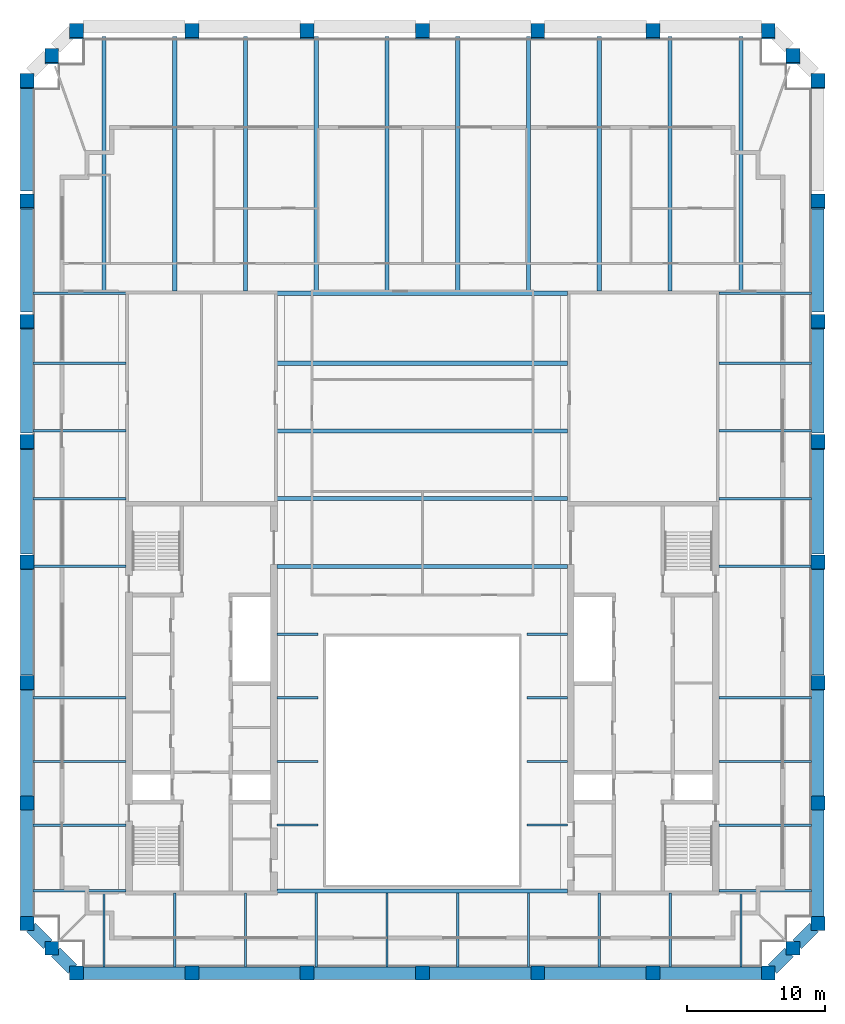
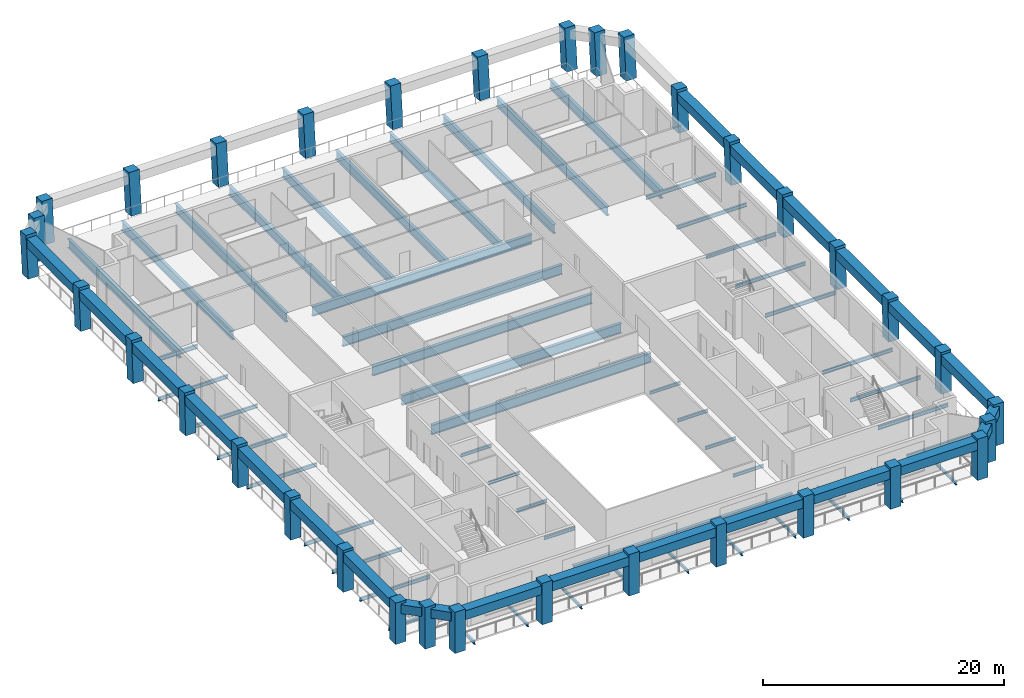
# One storey, part 1 of 8: 75 beams, 34 columns.
"""IFC4 building model written with IfcOpenShell, lengths in metres."""

from ifc_helpers import new_model, si_unit, direction, frame, origin, origin_2d, place, context, subcontext, project, spatial, rectangle, i_section, extrude, material, material_profile, profile_set, type_object, element, save


model = new_model("IFC4")

# Units and contexts
model_context = context("Model", 3, precision=1e-05, world=origin(), true_north=direction((0.0, 1.0)))
body_context = subcontext(model_context, "Body", "Model", "MODEL_VIEW")
ifc_project = project(units=[si_unit("LENGTHUNIT", "METRE"), si_unit("AREAUNIT", "SQUARE_METRE"), si_unit("VOLUMEUNIT", "CUBIC_METRE"), si_unit("PLANEANGLEUNIT", "RADIAN"), si_unit("MASSUNIT", "GRAM", prefix="KILO")], contexts=[model_context])

# Site, building, storey
site_placement = place(None, origin())
site = spatial("IfcSite", under=ifc_project, at=site_placement, CompositionType="ELEMENT")
building_placement = place(site_placement, origin())
building = spatial("IfcBuilding", under=site, at=building_placement, Name="Ogive Exchange Tower", CompositionType="ELEMENT")
storey_placement = place(building_placement, frame((0.0, 0.0, 351.0)))
storey = spatial("IfcBuildingStorey", under=building, at=storey_placement, Name="L77", CompositionType="ELEMENT", Elevation=351.0)

# Columns
ifc_material_1 = material(Name="Precast concrete C70/85 (limestone faced)", Category="masonry")
ifc_material_profile_1 = material_profile(ifc_material_1, rectangle(XDim=1.0, YDim=1.0, at=origin_2d()), Name="1000 x 1000")
ifc_profile_set_1 = profile_set([ifc_material_profile_1], Name="Precast concrete C70/85 (limestone faced)")
column_type = type_object("IfcColumnType", Name="Precast exoskeleton leg 1000 x 1000 C70/85", PredefinedType="COLUMN", material=ifc_profile_set_1)
for number, where, z_axis, x_axis, name in (
    (1, (-25.050048828125, -8.39990234375, 0.0), (0.0, 0.0, 1.0), (1.0, 0.0, 0.0), "Exoskeleton leg 1"),
    (2, (-16.699951171875, -8.39990234375, 0.0), (0.0, 0.0, 1.0), (1.0, 0.0, 0.0), "Exoskeleton leg 2"),
    (3, (-8.35009765625, -8.39990234375, 0.0), (0.0, 0.0, 1.0), (1.0, 0.0, 0.0), "Exoskeleton leg 3"),
    (4, (0.0, -8.39990234375, 0.0), (0.0, 0.0, 1.0), (1.0, 0.0, 0.0), "Exoskeleton leg 4"),
    (5, (8.35009765625, -8.39990234375, 0.0), (0.0, 0.0, 1.0), (1.0, 0.0, 0.0), "Exoskeleton leg 5"),
    (6, (16.699951171875, -8.39990234375, 0.0), (0.0, 0.0, 1.0), (1.0, 0.0, 0.0), "Exoskeleton leg 6"),
    (7, (25.050048828125, -8.39990234375, 0.0), (0.0, 0.0, 1.0), (1.0, 0.0, 0.0), "Exoskeleton leg 7"),
    (8, (28.64990234375, -4.800048828125, 0.0), (0.0, 0.0, 1.0), (1.0, 0.0, 0.0), "Exoskeleton leg 8"),
):
    element("IfcColumn", number, at=place(storey_placement, frame(where, z_axis=z_axis, x_axis=x_axis)), inside=storey, type_object=column_type, Name=name, PredefinedType="COLUMN", context=body_context, shape_type="SweptSolid", body=[
        extrude(rectangle(XDim=1.0, YDim=1.0, at=origin_2d()), origin(), (0.0, 0.0, 1.0), 4.199951171875),
    ])
column_1_placement = place(storey_placement, frame((28.64990234375, 3.9091796875, 0.0), z_axis=(0.0, 0.012961766342, 0.999915992778), x_axis=(-1.0, 0.0, 0.0)))
element("IfcColumn", 9, at=column_1_placement, inside=storey, type_object=column_type, Name="Exoskeleton leg 9", PredefinedType="COLUMN", context=body_context, shape_type="SweptSolid", body=[
    extrude(rectangle(XDim=1.0, YDim=1.0, at=origin_2d()), origin(), (0.0, 0.0, 1.0), 4.2001953125),
])
column_2_placement = place(storey_placement, frame((28.64990234375, 12.6181640625, 0.0), z_axis=(0.0, 0.025975072843, 0.999662590873), x_axis=(-1.0, 0.0, 0.0)))
element("IfcColumn", 10, at=column_2_placement, inside=storey, type_object=column_type, Name="Exoskeleton leg 10", PredefinedType="COLUMN", context=body_context, shape_type="SweptSolid", body=[
    extrude(rectangle(XDim=1.0, YDim=1.0, at=origin_2d()), origin(), (0.0, 0.0, 1.0), 4.201416015625),
])
column_3_placement = place(storey_placement, frame((28.64990234375, 21.327392578125, 0.0), z_axis=(0.0, 0.038917190853, 0.999242439179), x_axis=(-1.0, 0.0, 0.0)))
element("IfcColumn", 11, at=column_3_placement, inside=storey, type_object=column_type, Name="Exoskeleton leg 11", PredefinedType="COLUMN", context=body_context, shape_type="SweptSolid", body=[
    extrude(rectangle(XDim=1.0, YDim=1.0, at=origin_2d()), origin(), (0.0, 0.0, 1.0), 4.203125),
])
column_4_placement = place(storey_placement, frame((28.64990234375, 30.036376953125, 0.0), z_axis=(0.0, 0.051839753909, 0.998655416004), x_axis=(-1.0, 0.0, 0.0)))
element("IfcColumn", 12, at=column_4_placement, inside=storey, type_object=column_type, Name="Exoskeleton leg 12", PredefinedType="COLUMN", context=body_context, shape_type="SweptSolid", body=[
    extrude(rectangle(XDim=1.0, YDim=1.0, at=origin_2d()), origin(), (0.0, 0.0, 1.0), 4.20556640625),
])
column_5_placement = place(storey_placement, frame((28.64990234375, 38.74560546875, 0.0), z_axis=(0.0, 0.064794093908, 0.997898654872), x_axis=(-1.0, 0.0, 0.0)))
element("IfcColumn", 13, at=column_5_placement, inside=storey, type_object=column_type, Name="Exoskeleton leg 13", PredefinedType="COLUMN", context=body_context, shape_type="SweptSolid", body=[
    extrude(rectangle(XDim=1.0, YDim=1.0, at=origin_2d()), origin(), (0.0, 0.0, 1.0), 4.208740234375),
])
column_6_placement = place(storey_placement, frame((28.64990234375, 47.45458984375, 0.0), z_axis=(0.0, 0.077658156178, 0.996980045326), x_axis=(-1.0, 0.0, 0.0)))
element("IfcColumn", 14, at=column_6_placement, inside=storey, type_object=column_type, Name="Exoskeleton leg 14", PredefinedType="COLUMN", context=body_context, shape_type="SweptSolid", body=[
    extrude(rectangle(XDim=1.0, YDim=1.0, at=origin_2d()), origin(), (0.0, 0.0, 1.0), 4.212646484375),
])
for number, where, z_axis, x_axis, name in (
    (15, (28.64990234375, 56.16357421875, 0.0), (0.0, 0.090540965689, 0.995892731941), (-1.0, 0.0, 0.0), "Exoskeleton leg 15"),
    (16, (25.050048828125, 59.763671875, 0.0), (0.0, 0.090540965689, 0.995892731941), (-1.0, 0.0, 0.0), "Exoskeleton leg 16"),
    (17, (16.699951171875, 59.763671875, 0.0), (0.0, 0.090540965689, 0.995892731941), (-1.0, 0.0, 0.0), "Exoskeleton leg 17"),
    (18, (8.35009765625, 59.763671875, 0.0), (0.0, 0.090540965689, 0.995892731941), (-1.0, 0.0, 0.0), "Exoskeleton leg 18"),
    (19, (0.0, 59.763671875, 0.0), (0.0, 0.090540965689, 0.995892731941), (-1.0, 0.0, 0.0), "Exoskeleton leg 19"),
    (20, (-8.35009765625, 59.763671875, 0.0), (0.0, 0.090540965689, 0.995892731941), (-1.0, 0.0, 0.0), "Exoskeleton leg 20"),
    (21, (-16.699951171875, 59.763671875, 0.0), (0.0, 0.090540965689, 0.995892731941), (-1.0, 0.0, 0.0), "Exoskeleton leg 21"),
    (22, (-25.050048828125, 59.763671875, 0.0), (0.0, 0.090540965689, 0.995892731941), (-1.0, 0.0, 0.0), "Exoskeleton leg 22"),
    (23, (-28.64990234375, 56.16357421875, 0.0), (0.0, 0.090540965689, 0.995892731941), (-1.0, 0.0, 0.0), "Exoskeleton leg 23"),
):
    element("IfcColumn", number, at=place(storey_placement, frame(where, z_axis=z_axis, x_axis=x_axis)), inside=storey, type_object=column_type, Name=name, PredefinedType="COLUMN", context=body_context, shape_type="SweptSolid", body=[
        extrude(rectangle(XDim=1.0, YDim=1.0, at=origin_2d()), origin(), (0.0, 0.0, 1.0), 4.21728515625),
    ])
column_7_placement = place(storey_placement, frame((-28.64990234375, 47.45458984375, 0.0), z_axis=(0.0, 0.077658156178, 0.996980045326), x_axis=(-1.0, 0.0, 0.0)))
element("IfcColumn", 24, at=column_7_placement, inside=storey, type_object=column_type, Name="Exoskeleton leg 24", PredefinedType="COLUMN", context=body_context, shape_type="SweptSolid", body=[
    extrude(rectangle(XDim=1.0, YDim=1.0, at=origin_2d()), origin(), (0.0, 0.0, 1.0), 4.212646484375),
])
column_8_placement = place(storey_placement, frame((-28.64990234375, 38.74560546875, 0.0), z_axis=(0.0, 0.064794093908, 0.997898654872), x_axis=(-1.0, 0.0, 0.0)))
element("IfcColumn", 25, at=column_8_placement, inside=storey, type_object=column_type, Name="Exoskeleton leg 25", PredefinedType="COLUMN", context=body_context, shape_type="SweptSolid", body=[
    extrude(rectangle(XDim=1.0, YDim=1.0, at=origin_2d()), origin(), (0.0, 0.0, 1.0), 4.208740234375),
])
column_9_placement = place(storey_placement, frame((-28.64990234375, 30.036376953125, 0.0), z_axis=(0.0, 0.051839753909, 0.998655416004), x_axis=(-1.0, 0.0, 0.0)))
element("IfcColumn", 26, at=column_9_placement, inside=storey, type_object=column_type, Name="Exoskeleton leg 26", PredefinedType="COLUMN", context=body_context, shape_type="SweptSolid", body=[
    extrude(rectangle(XDim=1.0, YDim=1.0, at=origin_2d()), origin(), (0.0, 0.0, 1.0), 4.20556640625),
])
column_10_placement = place(storey_placement, frame((-28.64990234375, 21.327392578125, 0.0), z_axis=(0.0, 0.038917190853, 0.999242439179), x_axis=(-1.0, 0.0, 0.0)))
element("IfcColumn", 27, at=column_10_placement, inside=storey, type_object=column_type, Name="Exoskeleton leg 27", PredefinedType="COLUMN", context=body_context, shape_type="SweptSolid", body=[
    extrude(rectangle(XDim=1.0, YDim=1.0, at=origin_2d()), origin(), (0.0, 0.0, 1.0), 4.203125),
])
column_11_placement = place(storey_placement, frame((-28.64990234375, 12.6181640625, 0.0), z_axis=(0.0, 0.025975072843, 0.999662590873), x_axis=(-1.0, 0.0, 0.0)))
element("IfcColumn", 28, at=column_11_placement, inside=storey, type_object=column_type, Name="Exoskeleton leg 28", PredefinedType="COLUMN", context=body_context, shape_type="SweptSolid", body=[
    extrude(rectangle(XDim=1.0, YDim=1.0, at=origin_2d()), origin(), (0.0, 0.0, 1.0), 4.201416015625),
])
column_12_placement = place(storey_placement, frame((-28.64990234375, 3.9091796875, 0.0), z_axis=(0.0, 0.012961766342, 0.999915992778), x_axis=(-1.0, 0.0, 0.0)))
element("IfcColumn", 29, at=column_12_placement, inside=storey, type_object=column_type, Name="Exoskeleton leg 29", PredefinedType="COLUMN", context=body_context, shape_type="SweptSolid", body=[
    extrude(rectangle(XDim=1.0, YDim=1.0, at=origin_2d()), origin(), (0.0, 0.0, 1.0), 4.2001953125),
])
for number, where, z_axis, x_axis, name in (
    (30, (-28.64990234375, -4.800048828125, 0.0), (0.0, 0.0, 1.0), (1.0, 0.0, 0.0), "Exoskeleton leg 30"),
    (31, (26.85009765625, -6.60009765625, 0.0), (0.0, 0.0, 1.0), (1.0, 0.0, 0.0), "Exoskeleton leg 31"),
):
    element("IfcColumn", number, at=place(storey_placement, frame(where, z_axis=z_axis, x_axis=x_axis)), inside=storey, type_object=column_type, Name=name, PredefinedType="COLUMN", context=body_context, shape_type="SweptSolid", body=[
        extrude(rectangle(XDim=1.0, YDim=1.0, at=origin_2d()), origin(), (0.0, 0.0, 1.0), 4.199951171875),
    ])
for number, where, z_axis, x_axis, name in (
    (32, (26.85009765625, 57.963623046875, 0.0), (0.0, 0.090540965689, 0.995892731941), (-1.0, 0.0, 0.0), "Exoskeleton leg 32"),
    (33, (-26.85009765625, 57.963623046875, 0.0), (0.0, 0.090540965689, 0.995892731941), (-1.0, 0.0, 0.0), "Exoskeleton leg 33"),
):
    element("IfcColumn", number, at=place(storey_placement, frame(where, z_axis=z_axis, x_axis=x_axis)), inside=storey, type_object=column_type, Name=name, PredefinedType="COLUMN", context=body_context, shape_type="SweptSolid", body=[
        extrude(rectangle(XDim=1.0, YDim=1.0, at=origin_2d()), origin(), (0.0, 0.0, 1.0), 4.21728515625),
    ])
column_13_placement = place(storey_placement, frame((-26.85009765625, -6.60009765625, 0.0), z_axis=(0.0, 0.0, 1.0), x_axis=(1.0, 0.0, 0.0)))
element("IfcColumn", 34, at=column_13_placement, inside=storey, type_object=column_type, Name="Exoskeleton leg 34", PredefinedType="COLUMN", context=body_context, shape_type="SweptSolid", body=[
    extrude(rectangle(XDim=1.0, YDim=1.0, at=origin_2d()), origin(), (0.0, 0.0, 1.0), 4.199951171875),
])

# Beams
ifc_material_2 = material(Name="Steel ASTM A992 Gr50", Category="steel")
ifc_material_profile_2 = material_profile(ifc_material_2, i_section(OverallWidth=0.300048828125, OverallDepth=0.97998046875, WebThickness=0.0166015625, FlangeThickness=0.026123046875, at=origin_2d()), Name="W1000x249")
ifc_profile_set_2 = profile_set([ifc_material_profile_2], Name="Steel ASTM A992 Gr50")
beam_type_1 = type_object("IfcBeamType", Name="Floor beam W1000x249", PredefinedType="JOIST", material=ifc_profile_set_2)
for number, where, z_axis, x_axis, name in (
    (35, (-10.52001953125, 21.06201171875, -0.68994140625), (1.0, 0.0, 0.0), (0.0, 1.0, 0.0), "Floor beam"),
    (36, (-10.52001953125, 25.968994140625, -0.68994140625), (1.0, 0.0, 0.0), (0.0, 1.0, 0.0), "Floor beam"),
    (37, (-10.52001953125, 30.8759765625, -0.68994140625), (1.0, 0.0, 0.0), (0.0, 1.0, 0.0), "Floor beam"),
    (38, (-10.52001953125, 35.782958984375, -0.68994140625), (1.0, 0.0, 0.0), (0.0, 1.0, 0.0), "Floor beam"),
):
    element("IfcBeam", number, at=place(storey_placement, frame(where, z_axis=z_axis, x_axis=x_axis)), inside=storey, type_object=beam_type_1, Name=name, PredefinedType="JOIST", context=body_context, shape_type="SweptSolid", body=[
        extrude(i_section(OverallWidth=0.300048828125, OverallDepth=0.97998046875, WebThickness=0.0166015625, FlangeThickness=0.026123046875, at=origin_2d()), origin(), (0.0, 0.0, 1.0), 21.0400390625),
    ])
ifc_material_profile_3 = material_profile(ifc_material_2, i_section(OverallWidth=0.1650390625, OverallDepth=0.31005859375, WebThickness=0.005859375, FlangeThickness=0.009765625, at=origin_2d()), Name="W310x38.7")
ifc_profile_set_3 = profile_set([ifc_material_profile_3], Name="Steel ASTM A992 Gr50")
beam_type_2 = type_object("IfcBeamType", Name="Floor beam W310x38.7", PredefinedType="JOIST", material=ifc_profile_set_3)
for number, where, z_axis, x_axis, name in (
    (39, (-10.52001953125, 2.3212890625, -0.35498046875), (1.0, 0.0, 0.0), (0.0, 1.0, 0.0), "Floor beam"),
    (40, (7.570068359375, 2.3212890625, -0.35498046875), (1.0, 0.0, 0.0), (0.0, 1.0, 0.0), "Floor beam"),
    (41, (-10.52001953125, 6.9326171875, -0.35498046875), (1.0, 0.0, 0.0), (0.0, 1.0, 0.0), "Floor beam"),
    (42, (7.570068359375, 6.9326171875, -0.35498046875), (1.0, 0.0, 0.0), (0.0, 1.0, 0.0), "Floor beam"),
    (43, (-10.52001953125, 11.543701171875, -0.35498046875), (1.0, 0.0, 0.0), (0.0, 1.0, 0.0), "Floor beam"),
    (44, (7.570068359375, 11.543701171875, -0.35498046875), (1.0, 0.0, 0.0), (0.0, 1.0, 0.0), "Floor beam"),
):
    element("IfcBeam", number, at=place(storey_placement, frame(where, z_axis=z_axis, x_axis=x_axis)), inside=storey, type_object=beam_type_2, Name=name, PredefinedType="JOIST", context=body_context, shape_type="SweptSolid", body=[
        extrude(i_section(OverallWidth=0.1650390625, OverallDepth=0.31005859375, WebThickness=0.005859375, FlangeThickness=0.009765625, at=origin_2d()), origin(), (0.0, 0.0, 1.0), 2.949951171875),
    ])
beam_1_placement = place(storey_placement, frame((-23.07275390625, -7.949951171875, -0.35498046875), z_axis=(0.0, 1.0, 0.0), x_axis=(-1.0, 0.0, 0.0)))
element("IfcBeam", 45, at=beam_1_placement, inside=storey, type_object=beam_type_2, Name="Floor beam", PredefinedType="JOIST", context=body_context, shape_type="SweptSolid", body=[
    extrude(i_section(OverallWidth=0.1650390625, OverallDepth=0.31005859375, WebThickness=0.005859375, FlangeThickness=0.009765625, at=origin_2d()), origin(), (0.0, 0.0, 1.0), 5.416015625),
])
for number, where, z_axis, x_axis, name in (
    (46, (-17.945556640625, -7.949951171875, -0.35498046875), (0.0, 1.0, 0.0), (-1.0, 0.0, 0.0), "Floor beam"),
    (47, (-12.818115234375, -7.949951171875, -0.35498046875), (0.0, 1.0, 0.0), (-1.0, 0.0, 0.0), "Floor beam"),
):
    element("IfcBeam", number, at=place(storey_placement, frame(where, z_axis=z_axis, x_axis=x_axis)), inside=storey, type_object=beam_type_2, Name=name, PredefinedType="JOIST", context=body_context, shape_type="SweptSolid", body=[
        extrude(i_section(OverallWidth=0.1650390625, OverallDepth=0.31005859375, WebThickness=0.005859375, FlangeThickness=0.009765625, at=origin_2d()), origin(), (0.0, 0.0, 1.0), 5.349853515625),
    ])
for number, where, z_axis, x_axis, name in (
    (48, (-7.69091796875, -7.949951171875, -0.35498046875), (0.0, 1.0, 0.0), (-1.0, 0.0, 0.0), "Floor beam"),
    (49, (-2.563720703125, -7.949951171875, -0.35498046875), (0.0, 1.0, 0.0), (-1.0, 0.0, 0.0), "Floor beam"),
    (50, (2.563720703125, -7.949951171875, -0.35498046875), (0.0, 1.0, 0.0), (-1.0, 0.0, 0.0), "Floor beam"),
    (51, (7.69091796875, -7.949951171875, -0.35498046875), (0.0, 1.0, 0.0), (-1.0, 0.0, 0.0), "Floor beam"),
):
    element("IfcBeam", number, at=place(storey_placement, frame(where, z_axis=z_axis, x_axis=x_axis)), inside=storey, type_object=beam_type_2, Name=name, PredefinedType="JOIST", context=body_context, shape_type="SweptSolid", body=[
        extrude(i_section(OverallWidth=0.1650390625, OverallDepth=0.31005859375, WebThickness=0.005859375, FlangeThickness=0.009765625, at=origin_2d()), origin(), (0.0, 0.0, 1.0), 5.35498046875),
    ])
for number, where, z_axis, x_axis, name in (
    (52, (12.818115234375, -7.949951171875, -0.35498046875), (0.0, 1.0, 0.0), (-1.0, 0.0, 0.0), "Floor beam"),
    (53, (17.945556640625, -7.949951171875, -0.35498046875), (0.0, 1.0, 0.0), (-1.0, 0.0, 0.0), "Floor beam"),
):
    element("IfcBeam", number, at=place(storey_placement, frame(where, z_axis=z_axis, x_axis=x_axis)), inside=storey, type_object=beam_type_2, Name=name, PredefinedType="JOIST", context=body_context, shape_type="SweptSolid", body=[
        extrude(i_section(OverallWidth=0.1650390625, OverallDepth=0.31005859375, WebThickness=0.005859375, FlangeThickness=0.009765625, at=origin_2d()), origin(), (0.0, 0.0, 1.0), 5.349853515625),
    ])
beam_2_placement = place(storey_placement, frame((23.07275390625, -7.949951171875, -0.35498046875), z_axis=(0.0, 1.0, 0.0), x_axis=(-1.0, 0.0, 0.0)))
element("IfcBeam", 54, at=beam_2_placement, inside=storey, type_object=beam_type_2, Name="Floor beam", PredefinedType="JOIST", context=body_context, shape_type="SweptSolid", body=[
    extrude(i_section(OverallWidth=0.1650390625, OverallDepth=0.31005859375, WebThickness=0.005859375, FlangeThickness=0.009765625, at=origin_2d()), origin(), (0.0, 0.0, 1.0), 5.416015625),
])
ifc_material_profile_4 = material_profile(ifc_material_2, i_section(OverallWidth=0.1708984375, OverallDepth=0.35595703125, WebThickness=0.00732421875, FlangeThickness=0.01171875, at=origin_2d()), Name="W360x51")
ifc_profile_set_4 = profile_set([ifc_material_profile_4], Name="Steel ASTM A992 Gr50")
beam_type_3 = type_object("IfcBeamType", Name="Floor beam W360x51", PredefinedType="JOIST", material=ifc_profile_set_4)
for number, where, z_axis, x_axis, name in (
    (55, (-28.199951171875, 2.3212890625, -0.3779296875), (1.0, 0.0, 0.0), (0.0, 1.0, 0.0), "Floor beam"),
    (56, (21.47998046875, 2.3212890625, -0.3779296875), (1.0, 0.0, 0.0), (0.0, 1.0, 0.0), "Floor beam"),
    (57, (-28.199951171875, 6.9326171875, -0.3779296875), (1.0, 0.0, 0.0), (0.0, 1.0, 0.0), "Floor beam"),
    (58, (21.47998046875, 6.9326171875, -0.3779296875), (1.0, 0.0, 0.0), (0.0, 1.0, 0.0), "Floor beam"),
    (59, (-28.199951171875, 11.543701171875, -0.3779296875), (1.0, 0.0, 0.0), (0.0, 1.0, 0.0), "Floor beam"),
    (60, (21.47998046875, 11.543701171875, -0.3779296875), (1.0, 0.0, 0.0), (0.0, 1.0, 0.0), "Floor beam"),
    (61, (-28.199951171875, 21.06201171875, -0.3779296875), (1.0, 0.0, 0.0), (0.0, 1.0, 0.0), "Floor beam"),
    (62, (21.47998046875, 21.06201171875, -0.3779296875), (1.0, 0.0, 0.0), (0.0, 1.0, 0.0), "Floor beam"),
    (63, (-28.199951171875, 25.968994140625, -0.3779296875), (1.0, 0.0, 0.0), (0.0, 1.0, 0.0), "Floor beam"),
    (64, (21.47998046875, 25.968994140625, -0.3779296875), (1.0, 0.0, 0.0), (0.0, 1.0, 0.0), "Floor beam"),
    (65, (-28.199951171875, 30.8759765625, -0.3779296875), (1.0, 0.0, 0.0), (0.0, 1.0, 0.0), "Floor beam"),
    (66, (21.47998046875, 30.8759765625, -0.3779296875), (1.0, 0.0, 0.0), (0.0, 1.0, 0.0), "Floor beam"),
    (67, (-28.199951171875, 35.782958984375, -0.3779296875), (1.0, 0.0, 0.0), (0.0, 1.0, 0.0), "Floor beam"),
    (68, (21.47998046875, 35.782958984375, -0.3779296875), (1.0, 0.0, 0.0), (0.0, 1.0, 0.0), "Floor beam"),
):
    element("IfcBeam", number, at=place(storey_placement, frame(where, z_axis=z_axis, x_axis=x_axis)), inside=storey, type_object=beam_type_3, Name=name, PredefinedType="JOIST", context=body_context, shape_type="SweptSolid", body=[
        extrude(i_section(OverallWidth=0.1708984375, OverallDepth=0.35595703125, WebThickness=0.00732421875, FlangeThickness=0.01171875, at=origin_2d()), origin(), (0.0, 0.0, 1.0), 6.719970703125),
    ])
ifc_material_profile_5 = material_profile(ifc_material_2, i_section(OverallWidth=0.304931640625, OverallDepth=0.904052734375, WebThickness=0.01513671875, FlangeThickness=0.02001953125, at=origin_2d()), Name="W920x201")
ifc_profile_set_5 = profile_set([ifc_material_profile_5], Name="Steel ASTM A992 Gr50")
beam_type_4 = type_object("IfcBeamType", Name="Floor beam W920x201", PredefinedType="JOIST", material=ifc_profile_set_5)
beam_3_placement = place(storey_placement, frame((-23.07275390625, 40.93408203125, -0.652099609375), z_axis=(0.0, 1.0, 0.0), x_axis=(-1.0, 0.0, 0.0)))
element("IfcBeam", 69, at=beam_3_placement, inside=storey, type_object=beam_type_4, Name="Floor beam", PredefinedType="JOIST", context=body_context, shape_type="SweptSolid", body=[
    extrude(i_section(OverallWidth=0.304931640625, OverallDepth=0.904052734375, WebThickness=0.01513671875, FlangeThickness=0.02001953125, at=origin_2d()), origin(), (0.0, 0.0, 1.0), 18.529541015625),
])
for number, where, z_axis, x_axis, name in (
    (70, (-17.945556640625, 41.0, -0.652099609375), (0.0, 1.0, 0.0), (-1.0, 0.0, 0.0), "Floor beam"),
    (71, (-12.818115234375, 41.0, -0.652099609375), (0.0, 1.0, 0.0), (-1.0, 0.0, 0.0), "Floor beam"),
):
    element("IfcBeam", number, at=place(storey_placement, frame(where, z_axis=z_axis, x_axis=x_axis)), inside=storey, type_object=beam_type_4, Name=name, PredefinedType="JOIST", context=body_context, shape_type="SweptSolid", body=[
        extrude(i_section(OverallWidth=0.304931640625, OverallDepth=0.904052734375, WebThickness=0.01513671875, FlangeThickness=0.02001953125, at=origin_2d()), origin(), (0.0, 0.0, 1.0), 18.463623046875),
    ])
for number, where, z_axis, x_axis, name in (
    (72, (-7.69091796875, 40.9951171875, -0.652099609375), (0.0, 1.0, 0.0), (-1.0, 0.0, 0.0), "Floor beam"),
    (73, (-2.563720703125, 40.9951171875, -0.652099609375), (0.0, 1.0, 0.0), (-1.0, 0.0, 0.0), "Floor beam"),
    (74, (2.563720703125, 40.9951171875, -0.652099609375), (0.0, 1.0, 0.0), (-1.0, 0.0, 0.0), "Floor beam"),
    (75, (7.69091796875, 40.9951171875, -0.652099609375), (0.0, 1.0, 0.0), (-1.0, 0.0, 0.0), "Floor beam"),
):
    element("IfcBeam", number, at=place(storey_placement, frame(where, z_axis=z_axis, x_axis=x_axis)), inside=storey, type_object=beam_type_4, Name=name, PredefinedType="JOIST", context=body_context, shape_type="SweptSolid", body=[
        extrude(i_section(OverallWidth=0.304931640625, OverallDepth=0.904052734375, WebThickness=0.01513671875, FlangeThickness=0.02001953125, at=origin_2d()), origin(), (0.0, 0.0, 1.0), 18.468505859375),
    ])
for number, where, z_axis, x_axis, name in (
    (76, (12.818115234375, 41.0, -0.652099609375), (0.0, 1.0, 0.0), (-1.0, 0.0, 0.0), "Floor beam"),
    (77, (17.945556640625, 41.0, -0.652099609375), (0.0, 1.0, 0.0), (-1.0, 0.0, 0.0), "Floor beam"),
):
    element("IfcBeam", number, at=place(storey_placement, frame(where, z_axis=z_axis, x_axis=x_axis)), inside=storey, type_object=beam_type_4, Name=name, PredefinedType="JOIST", context=body_context, shape_type="SweptSolid", body=[
        extrude(i_section(OverallWidth=0.304931640625, OverallDepth=0.904052734375, WebThickness=0.01513671875, FlangeThickness=0.02001953125, at=origin_2d()), origin(), (0.0, 0.0, 1.0), 18.463623046875),
    ])
beam_4_placement = place(storey_placement, frame((23.07275390625, 40.93408203125, -0.652099609375), z_axis=(0.0, 1.0, 0.0), x_axis=(-1.0, 0.0, 0.0)))
element("IfcBeam", 78, at=beam_4_placement, inside=storey, type_object=beam_type_4, Name="Floor beam", PredefinedType="JOIST", context=body_context, shape_type="SweptSolid", body=[
    extrude(i_section(OverallWidth=0.304931640625, OverallDepth=0.904052734375, WebThickness=0.01513671875, FlangeThickness=0.02001953125, at=origin_2d()), origin(), (0.0, 0.0, 1.0), 18.529541015625),
])
ifc_material_profile_6 = material_profile(ifc_material_2, i_section(OverallWidth=0.300048828125, OverallDepth=0.97998046875, WebThickness=0.0166015625, FlangeThickness=0.026123046875, at=origin_2d()), Name="W1000x249")
ifc_profile_set_6 = profile_set([ifc_material_profile_6], Name="Steel ASTM A992 Gr50")
beam_type_5 = type_object("IfcBeamType", Name="Girder W1000x249", PredefinedType="BEAM", material=ifc_profile_set_6)
for number, where, z_axis, x_axis, name in (
    (79, (-10.52001953125, -2.445068359375, -0.68994140625), (1.0, 0.0, 0.0), (0.0, 1.0, 0.0), "Header girder"),
    (80, (-10.52001953125, 40.844970703125, -0.68994140625), (1.0, 0.0, 0.0), (0.0, 1.0, 0.0), "Header girder"),
):
    element("IfcBeam", number, at=place(storey_placement, frame(where, z_axis=z_axis, x_axis=x_axis)), inside=storey, type_object=beam_type_5, Name=name, PredefinedType="BEAM", context=body_context, shape_type="SweptSolid", body=[
        extrude(i_section(OverallWidth=0.300048828125, OverallDepth=0.97998046875, WebThickness=0.0166015625, FlangeThickness=0.026123046875, at=origin_2d()), origin(), (0.0, 0.0, 1.0), 21.0400390625),
    ])
ifc_material_profile_7 = material_profile(ifc_material_2, i_section(OverallWidth=0.1650390625, OverallDepth=0.31005859375, WebThickness=0.005859375, FlangeThickness=0.009765625, at=origin_2d()), Name="W310x38.7")
ifc_profile_set_7 = profile_set([ifc_material_profile_7], Name="Steel ASTM A992 Gr50")
beam_type_6 = type_object("IfcBeamType", Name="Girder W310x38.7", PredefinedType="BEAM", material=ifc_profile_set_7)
for number, where, z_axis, x_axis, name in (
    (81, (-10.52001953125, 16.155029296875, -0.35498046875), (1.0, 0.0, 0.0), (0.0, 1.0, 0.0), "Trimmer girder"),
    (82, (7.570068359375, 16.155029296875, -0.35498046875), (1.0, 0.0, 0.0), (0.0, 1.0, 0.0), "Trimmer girder"),
):
    element("IfcBeam", number, at=place(storey_placement, frame(where, z_axis=z_axis, x_axis=x_axis)), inside=storey, type_object=beam_type_6, Name=name, PredefinedType="BEAM", context=body_context, shape_type="SweptSolid", body=[
        extrude(i_section(OverallWidth=0.1650390625, OverallDepth=0.31005859375, WebThickness=0.005859375, FlangeThickness=0.009765625, at=origin_2d()), origin(), (0.0, 0.0, 1.0), 2.949951171875),
    ])
ifc_material_profile_8 = material_profile(ifc_material_2, i_section(OverallWidth=0.177978515625, OverallDepth=0.406005859375, WebThickness=0.0078125, FlangeThickness=0.0126953125, at=origin_2d()), Name="W410x60")
ifc_profile_set_8 = profile_set([ifc_material_profile_8], Name="Steel ASTM A992 Gr50")
beam_type_7 = type_object("IfcBeamType", Name="Girder W410x60", PredefinedType="BEAM", material=ifc_profile_set_8)
for number, where, z_axis, x_axis, name in (
    (83, (-28.199951171875, -2.445068359375, -0.403076171875), (1.0, 0.0, 0.0), (0.0, 1.0, 0.0), "Header girder"),
    (84, (21.47998046875, -2.445068359375, -0.403076171875), (1.0, 0.0, 0.0), (0.0, 1.0, 0.0), "Header girder"),
    (85, (-28.199951171875, 40.844970703125, -0.403076171875), (1.0, 0.0, 0.0), (0.0, 1.0, 0.0), "Header girder"),
    (86, (21.47998046875, 40.844970703125, -0.403076171875), (1.0, 0.0, 0.0), (0.0, 1.0, 0.0), "Header girder"),
):
    element("IfcBeam", number, at=place(storey_placement, frame(where, z_axis=z_axis, x_axis=x_axis)), inside=storey, type_object=beam_type_7, Name=name, PredefinedType="BEAM", context=body_context, shape_type="SweptSolid", body=[
        extrude(i_section(OverallWidth=0.177978515625, OverallDepth=0.406005859375, WebThickness=0.0078125, FlangeThickness=0.0126953125, at=origin_2d()), origin(), (0.0, 0.0, 1.0), 6.719970703125),
    ])
ifc_material_profile_9 = material_profile(ifc_material_1, rectangle(XDim=0.89990234375, YDim=0.89990234375, at=origin_2d()), Name="900 x 900")
ifc_profile_set_9 = profile_set([ifc_material_profile_9], Name="Precast concrete C70/85 (limestone faced)")
beam_type_8 = type_object("IfcBeamType", Name="Precast spandrel 900 x 900 C70/85", PredefinedType="SPANDREL", material=ifc_profile_set_9)
beam_5_placement = place(storey_placement, frame((-24.570068359375, -8.39990234375, 3.5), z_axis=(1.0, 0.0, 0.0), x_axis=(0.0, 1.0, 0.0)))
element("IfcBeam", 87, at=beam_5_placement, inside=storey, type_object=beam_type_8, Name="Spandrel 1", PredefinedType="SPANDREL", context=body_context, shape_type="SweptSolid", body=[
    extrude(rectangle(XDim=0.89990234375, YDim=0.89990234375, at=origin_2d()), origin(), (0.0, 0.0, 1.0), 7.39013671875),
])
beam_6_placement = place(storey_placement, frame((-16.219970703125, -8.39990234375, 3.5), z_axis=(1.0, 0.0, 0.0), x_axis=(0.0, 1.0, 0.0)))
element("IfcBeam", 88, at=beam_6_placement, inside=storey, type_object=beam_type_8, Name="Spandrel 2", PredefinedType="SPANDREL", context=body_context, shape_type="SweptSolid", body=[
    extrude(rectangle(XDim=0.89990234375, YDim=0.89990234375, at=origin_2d()), origin(), (0.0, 0.0, 1.0), 7.389892578125),
])
for number, where, z_axis, x_axis, name in (
    (89, (-7.8701171875, -8.39990234375, 3.5), (1.0, 0.0, 0.0), (0.0, 1.0, 0.0), "Spandrel 3"),
    (90, (0.47998046875, -8.39990234375, 3.5), (1.0, 0.0, 0.0), (0.0, 1.0, 0.0), "Spandrel 4"),
):
    element("IfcBeam", number, at=place(storey_placement, frame(where, z_axis=z_axis, x_axis=x_axis)), inside=storey, type_object=beam_type_8, Name=name, PredefinedType="SPANDREL", context=body_context, shape_type="SweptSolid", body=[
        extrude(rectangle(XDim=0.89990234375, YDim=0.89990234375, at=origin_2d()), origin(), (0.0, 0.0, 1.0), 7.39013671875),
    ])
beam_7_placement = place(storey_placement, frame((8.830078125, -8.39990234375, 3.5), z_axis=(1.0, 0.0, 0.0), x_axis=(0.0, 1.0, 0.0)))
element("IfcBeam", 91, at=beam_7_placement, inside=storey, type_object=beam_type_8, Name="Spandrel 5", PredefinedType="SPANDREL", context=body_context, shape_type="SweptSolid", body=[
    extrude(rectangle(XDim=0.89990234375, YDim=0.89990234375, at=origin_2d()), origin(), (0.0, 0.0, 1.0), 7.389892578125),
])
beam_8_placement = place(storey_placement, frame((17.179931640625, -8.39990234375, 3.5), z_axis=(1.0, 0.0, 0.0), x_axis=(0.0, 1.0, 0.0)))
element("IfcBeam", 92, at=beam_8_placement, inside=storey, type_object=beam_type_8, Name="Spandrel 6", PredefinedType="SPANDREL", context=body_context, shape_type="SweptSolid", body=[
    extrude(rectangle(XDim=0.89990234375, YDim=0.89990234375, at=origin_2d()), origin(), (0.0, 0.0, 1.0), 7.39013671875),
])
for number, where, z_axis, x_axis, name in (
    (93, (25.337890625, -8.112060546875, 3.5), (0.707106781187, 0.707106781187, 0.0), (-0.707106781187, 0.707106781187, 0.0), "Spandrel 7"),
    (94, (27.137939453125, -6.31201171875, 3.5), (0.707106781187, 0.707106781187, 0.0), (-0.707106781187, 0.707106781187, 0.0), "Spandrel 8"),
):
    element("IfcBeam", number, at=place(storey_placement, frame(where, z_axis=z_axis, x_axis=x_axis)), inside=storey, type_object=beam_type_8, Name=name, PredefinedType="SPANDREL", context=body_context, shape_type="SweptSolid", body=[
        extrude(rectangle(XDim=0.89990234375, YDim=0.89990234375, at=origin_2d()), origin(), (0.0, 0.0, 1.0), 1.731201171875),
    ])
for number, where, z_axis, x_axis, name in (
    (95, (28.64990234375, -4.320068359375, 3.5), (0.0, 1.0, 0.0), (-1.0, 0.0, 0.0), "Spandrel 9"),
    (96, (28.64990234375, 4.443603515625, 3.5), (0.0, 1.0, 0.0), (-1.0, 0.0, 0.0), "Spandrel 10"),
    (97, (28.64990234375, 13.207275390625, 3.5), (0.0, 1.0, 0.0), (-1.0, 0.0, 0.0), "Spandrel 11"),
):
    element("IfcBeam", number, at=place(storey_placement, frame(where, z_axis=z_axis, x_axis=x_axis)), inside=storey, type_object=beam_type_8, Name=name, PredefinedType="SPANDREL", context=body_context, shape_type="SweptSolid", body=[
        extrude(rectangle(XDim=0.89990234375, YDim=0.89990234375, at=origin_2d()), origin(), (0.0, 0.0, 1.0), 7.8037109375),
    ])
for number, where, z_axis, x_axis, name in (
    (98, (28.64990234375, 21.970947265625, 3.5), (0.0, 1.0, 0.0), (-1.0, 0.0, 0.0), "Spandrel 12"),
    (99, (28.64990234375, 30.734619140625, 3.5), (0.0, 1.0, 0.0), (-1.0, 0.0, 0.0), "Spandrel 13"),
    (100, (28.64990234375, 39.498291015625, 3.5), (0.0, 1.0, 0.0), (-1.0, 0.0, 0.0), "Spandrel 14"),
):
    element("IfcBeam", number, at=place(storey_placement, frame(where, z_axis=z_axis, x_axis=x_axis)), inside=storey, type_object=beam_type_8, Name=name, PredefinedType="SPANDREL", context=body_context, shape_type="SweptSolid", body=[
        extrude(rectangle(XDim=0.89990234375, YDim=0.89990234375, at=origin_2d()), origin(), (0.0, 0.0, 1.0), 7.803466796875),
    ])
beam_9_placement = place(storey_placement, frame((-28.64990234375, 56.0654296875, 3.5), z_axis=(0.0, -1.0, 0.0), x_axis=(1.0, 0.0, 0.0)))
element("IfcBeam", 101, at=beam_9_placement, inside=storey, type_object=beam_type_8, Name="Spandrel 26", PredefinedType="SPANDREL", context=body_context, shape_type="SweptSolid", body=[
    extrude(rectangle(XDim=0.89990234375, YDim=0.89990234375, at=origin_2d()), origin(), (0.0, 0.0, 1.0), 7.8037109375),
])
for number, where, z_axis, x_axis, name in (
    (102, (-28.64990234375, 47.3017578125, 3.5), (0.0, -1.0, 0.0), (1.0, 0.0, 0.0), "Spandrel 27"),
    (103, (-28.64990234375, 38.5380859375, 3.5), (0.0, -1.0, 0.0), (1.0, 0.0, 0.0), "Spandrel 28"),
    (104, (-28.64990234375, 29.7744140625, 3.5), (0.0, -1.0, 0.0), (1.0, 0.0, 0.0), "Spandrel 29"),
):
    element("IfcBeam", number, at=place(storey_placement, frame(where, z_axis=z_axis, x_axis=x_axis)), inside=storey, type_object=beam_type_8, Name=name, PredefinedType="SPANDREL", context=body_context, shape_type="SweptSolid", body=[
        extrude(rectangle(XDim=0.89990234375, YDim=0.89990234375, at=origin_2d()), origin(), (0.0, 0.0, 1.0), 7.803466796875),
    ])
for number, where, z_axis, x_axis, name in (
    (105, (-28.64990234375, 21.010986328125, 3.5), (0.0, -1.0, 0.0), (1.0, 0.0, 0.0), "Spandrel 30"),
    (106, (-28.64990234375, 12.247314453125, 3.5), (0.0, -1.0, 0.0), (1.0, 0.0, 0.0), "Spandrel 31"),
    (107, (-28.64990234375, 3.483642578125, 3.5), (0.0, -1.0, 0.0), (1.0, 0.0, 0.0), "Spandrel 32"),
):
    element("IfcBeam", number, at=place(storey_placement, frame(where, z_axis=z_axis, x_axis=x_axis)), inside=storey, type_object=beam_type_8, Name=name, PredefinedType="SPANDREL", context=body_context, shape_type="SweptSolid", body=[
        extrude(rectangle(XDim=0.89990234375, YDim=0.89990234375, at=origin_2d()), origin(), (0.0, 0.0, 1.0), 7.8037109375),
    ])
for number, where, z_axis, x_axis, name in (
    (108, (-28.362060546875, -5.087890625, 3.5), (0.707106781187, -0.707106781187, 0.0), (0.707106781187, 0.707106781187, 0.0), "Spandrel 33"),
    (109, (-26.56201171875, -6.887939453125, 3.5), (0.707106781187, -0.707106781187, 0.0), (0.707106781187, 0.707106781187, 0.0), "Spandrel 34"),
):
    element("IfcBeam", number, at=place(storey_placement, frame(where, z_axis=z_axis, x_axis=x_axis)), inside=storey, type_object=beam_type_8, Name=name, PredefinedType="SPANDREL", context=body_context, shape_type="SweptSolid", body=[
        extrude(rectangle(XDim=0.89990234375, YDim=0.89990234375, at=origin_2d()), origin(), (0.0, 0.0, 1.0), 1.731201171875),
    ])

save(model, "model.ifc")
